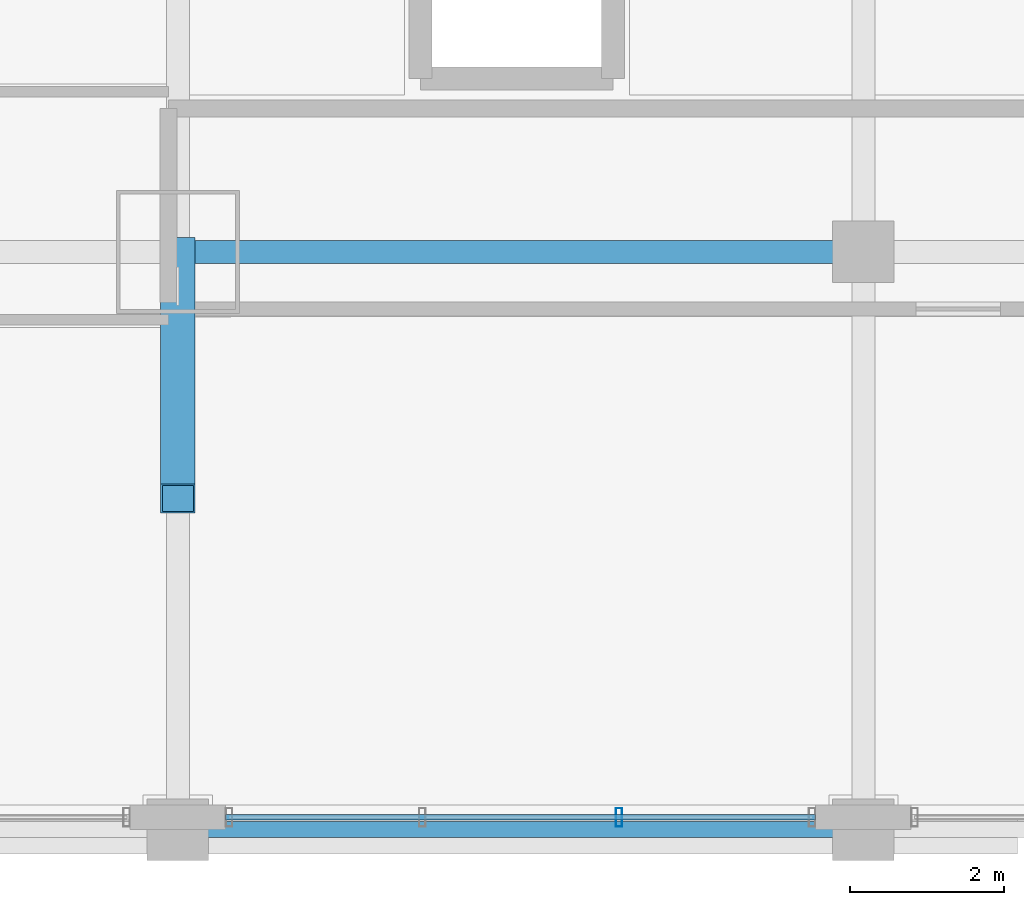
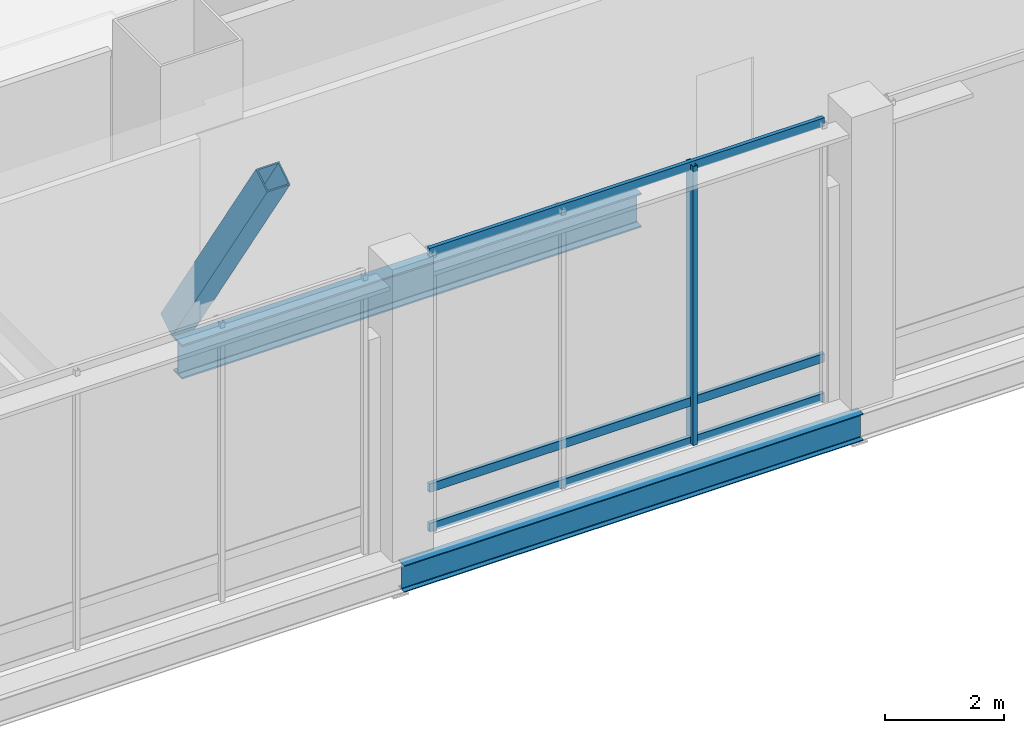
# One storey, part 8 of 38: 5 members, 2 beams, 1 element without a shape of its own.
"""IFC4 building model written with IfcOpenShell, lengths in metres."""

import ifcopenshell
import ifcopenshell.guid

model = None  # the IFC model being written
_history = None  # IfcOwnerHistory: only IFC2X3 demands one
_inside = {}  # id of a spatial element -> (the spatial element, [elements in it])
_under = {}  # id of a project, library or spatial element -> (it, [spatial elements below it])
_declared = {}  # id of a project -> (the project, [libraries it declares])
_typed = {}  # id of a type object -> (the type object, [elements of that type])
_made_of = {}  # id of a material, layer set ... -> (it, [elements and type objects made of it])


def new_model(schema):
    """Start an empty IFC model of exactly this schema.

    Asked for "IFC4X3", IfcOpenShell would pick the latest addendum, in which some entities
    have other attributes; the version numbers below select the first issue.
    IFC2X3 requires an IfcOwnerHistory on every rooted entity: one is made here for all.
    """
    global model, _history
    if schema == "IFC4X3":
        model = ifcopenshell.file(schema_version=(4, 3, 0, 0))
    else:
        model = ifcopenshell.file(schema=schema)
    _inside.clear()
    _under.clear()
    _declared.clear()
    _typed.clear()
    _made_of.clear()
    _history = None
    if model.schema == "IFC2X3":
        org = make("IfcOrganization", Name="unknown")
        user = make(
            "IfcPersonAndOrganization",
            ThePerson=make("IfcPerson", FamilyName="unknown"),
            TheOrganization=org,
        )
        app = make(
            "IfcApplication",
            ApplicationDeveloper=org,
            Version="unknown",
            ApplicationFullName="unknown",
            ApplicationIdentifier="unknown",
        )
        _history = make(
            "IfcOwnerHistory",
            OwningUser=user,
            OwningApplication=app,
            ChangeAction="ADDED",
            CreationDate=0,
        )
    return model


def make(cls, **values):
    """One entity of the class cls with the attributes given. An attribute that is None is left unset."""
    return model.create_entity(
        cls, **{name: value for name, value in values.items() if value is not None}
    )


def rooted(cls, **values):
    """An entity with a GlobalId (a new one), such as an element, a storey or a relation."""
    return make(cls, GlobalId=ifcopenshell.guid.new(), OwnerHistory=_history, **values)


def si_unit(unit_type, name, prefix=None):
    """IfcSIUnit, for example si_unit("LENGTHUNIT", "METRE", prefix="MILLI")."""
    return make("IfcSIUnit", UnitType=unit_type, Prefix=prefix, Name=name)


def assignment(units):
    """IfcUnitAssignment: the units of a project."""
    return None if units is None else make("IfcUnitAssignment", Units=units)


def point(xyz):
    """IfcCartesianPoint."""
    return None if xyz is None else make("IfcCartesianPoint", Coordinates=xyz)


def direction(xyz):
    """IfcDirection."""
    return None if xyz is None else make("IfcDirection", DirectionRatios=xyz)


def frame(location, z_axis=None, x_axis=None):
    """IfcAxis2Placement3D, a coordinate frame: its origin and axes. An axis left out is left unset."""
    return make(
        "IfcAxis2Placement3D",
        Location=point(location),
        Axis=direction(z_axis),
        RefDirection=direction(x_axis),
    )


def frame_2d(location, x_axis=None):
    """IfcAxis2Placement2D, a coordinate frame in the plane: its origin and x axis."""
    return make(
        "IfcAxis2Placement2D", Location=point(location), RefDirection=direction(x_axis)
    )


def origin():
    """The frame at (0, 0, 0) with its axes left unset."""
    return frame((0.0, 0.0, 0.0))


def origin_2d():
    """The frame at (0, 0) in the plane with its x axis left unset."""
    return frame_2d((0.0, 0.0))


def place(relative_to, where):
    """IfcLocalPlacement: puts the frame where relative to a parent placement (None: the world)."""
    return make(
        "IfcLocalPlacement", PlacementRelTo=relative_to, RelativePlacement=where
    )


def context(
    kind, dimensions, precision=None, world=None, true_north=None, identifier=None
):
    """IfcGeometricRepresentationContext, for example the 3D "Model" context."""
    return make(
        "IfcGeometricRepresentationContext",
        ContextIdentifier=identifier,
        ContextType=kind,
        CoordinateSpaceDimension=dimensions,
        Precision=precision,
        WorldCoordinateSystem=world,
        TrueNorth=true_north,
    )


def subcontext(parent, identifier, kind, view, scale=None):
    """IfcGeometricRepresentationSubContext, for example "Body" below "Model"."""
    return make(
        "IfcGeometricRepresentationSubContext",
        ContextIdentifier=identifier,
        ContextType=kind,
        ParentContext=parent,
        TargetScale=scale,
        TargetView=view,
    )


def project(units=None, contexts=None):
    """IfcProject with its units and contexts."""
    return rooted(
        "IfcProject",
        Name="project",
        RepresentationContexts=contexts,
        UnitsInContext=assignment(units),
    )


def spatial(cls, under=None, at=None, **own):
    """A site, building, storey or space (cls), placed at a placement, below another one or the project."""
    s = rooted(cls, ObjectPlacement=at, **own)
    if under is not None:
        _under.setdefault(under.id(), (under, []))[1].append(s)
    return s


def profile(cls, at=None, kind="AREA", **sizes):
    """A parametric profile (cls). Its sizes go by their IFC names, for example OverallWidth=200.0."""
    return make(cls, ProfileType=kind, Position=at, **sizes)


def hollow_rectangle(**sizes):
    """IfcRectangleHollowProfileDef."""
    return profile("IfcRectangleHollowProfileDef", **sizes)


def i_section(**sizes):
    """IfcIShapeProfileDef."""
    return profile("IfcIShapeProfileDef", **sizes)


def extrude(swept, where, along, depth):
    """IfcExtrudedAreaSolid: the profile swept, set in the frame where, extruded along a direction by depth."""
    return make(
        "IfcExtrudedAreaSolid",
        SweptArea=swept,
        Position=where,
        ExtrudedDirection=direction(along),
        Depth=depth,
    )


def shape(context_of_items, identifier, shape_type, items):
    """IfcShapeRepresentation: the items that make up one representation, for example the "Body"."""
    return make(
        "IfcShapeRepresentation",
        ContextOfItems=context_of_items,
        RepresentationIdentifier=identifier,
        RepresentationType=shape_type,
        Items=items,
    )


def material(Name=None, Category=None):
    """IfcMaterial."""
    return make("IfcMaterial", Name=Name, Category=Category)


def material_profile(
    of_material, cross_section, Name=None, Category=None, Priority=None
):
    """IfcMaterialProfile: a cross section and its material."""
    return make(
        "IfcMaterialProfile",
        Name=Name,
        Material=of_material,
        Profile=cross_section,
        Priority=Priority,
        Category=Category,
    )


def profile_set(profiles, Name=None, composite=None):
    """IfcMaterialProfileSet."""
    return make(
        "IfcMaterialProfileSet",
        Name=Name,
        MaterialProfiles=profiles,
        CompositeProfile=composite,
    )


def made_of(thing, what):
    """Note that an element or type object is made of a material, layer set ...; save() writes the relation."""
    if what is not None:
        _made_of.setdefault(what.id(), (what, []))[1].append(thing)
    return thing


def type_object(cls, material=None, **own):
    """A type object (cls), such as IfcWallType, which elements share."""
    return made_of(rooted(cls, **own), material)


def element(
    cls,
    number,
    at=None,
    inside=None,
    cuts=None,
    type_object=None,
    material=None,
    context=None,
    identifier="Body",
    shape_type=None,
    held_by="IfcProductDefinitionShape",
    body=None,
    shapes=None,
    **own,
):
    """One element of the class cls, such as IfcWall. Its Tag is "e" and its number.

    at: its placement. inside: the storey or other place that contains it. cuts: it is an
    opening in that element (IfcRelVoidsElement). A single representation is given by context,
    identifier, shape_type and body (its items); several are given by shapes. held_by: the class
    of the entity that holds the representations. save() writes the other relations.
    """
    e = rooted(cls, Tag="e%d" % number, ObjectPlacement=at, **own)
    if body is not None:
        shapes = [shape(context, identifier, shape_type, body)]
    if shapes is not None:
        e.Representation = make(held_by, Representations=shapes)
    if inside is not None:
        _inside.setdefault(inside.id(), (inside, []))[1].append(e)
    if cuts is not None:
        rooted(
            "IfcRelVoidsElement", RelatingBuildingElement=cuts, RelatedOpeningElement=e
        )
    if type_object is not None:
        _typed.setdefault(type_object.id(), (type_object, []))[1].append(e)
    return made_of(e, material)


def aggregate(whole, parts):
    """IfcRelAggregates: a whole, such as a stair, and the parts it consists of."""
    return rooted("IfcRelAggregates", RelatingObject=whole, RelatedObjects=parts)


def save(model, path):
    """Write the relations noted so far, then the file.

    IfcRelAggregates (storeys below a building ...), IfcRelContainedInSpatialStructure (elements
    in a storey), IfcRelDefinesByType, IfcRelAssociatesMaterial and IfcRelDeclares: one each for
    every whole, place, type object, material and project.
    """
    for whole, parts in _under.values():
        aggregate(whole, parts)
    for where, things in _inside.values():
        rooted(
            "IfcRelContainedInSpatialStructure",
            RelatedElements=things,
            RelatingStructure=where,
        )
    for kind, things in _typed.values():
        rooted("IfcRelDefinesByType", RelatedObjects=things, RelatingType=kind)
    for what, things in _made_of.values():
        rooted("IfcRelAssociatesMaterial", RelatedObjects=things, RelatingMaterial=what)
    for by, libraries in _declared.values():
        rooted("IfcRelDeclares", RelatingContext=by, RelatedDefinitions=libraries)
    model.write(path)


model = new_model("IFC4")

# Units and contexts
model_context = context("Model", 3, precision=1e-05, world=origin(), true_north=direction((0.0, 1.0)))
body_context = subcontext(model_context, "Body", "Model", "MODEL_VIEW")
ifc_project = project(units=[si_unit("LENGTHUNIT", "METRE"), si_unit("AREAUNIT", "SQUARE_METRE"), si_unit("VOLUMEUNIT", "CUBIC_METRE"), si_unit("PLANEANGLEUNIT", "RADIAN"), si_unit("MASSUNIT", "GRAM", prefix="KILO")], contexts=[model_context])

# Site, building, storey
site_placement = place(None, origin())
site = spatial("IfcSite", under=ifc_project, at=site_placement, CompositionType="ELEMENT")
building_placement = place(site_placement, origin())
building = spatial("IfcBuilding", under=site, at=building_placement, Name="Punatoya Terracotta Tower", CompositionType="ELEMENT")
storey_placement = place(building_placement, frame((0.0, 0.0, 22.199951171875)))
storey = spatial("IfcBuildingStorey", under=building, at=storey_placement, Name="L04", CompositionType="ELEMENT", Elevation=22.199951171875)

# Beams
ifc_material_1 = material(Name="Steel S355", Category="steel")
ifc_material_profile_1 = material_profile(ifc_material_1, i_section(OverallWidth=0.300048828125, OverallDepth=0.699951171875, WebThickness=0.01708984375, FlangeThickness=0.031982421875, FilletRadius=0.01806640625, at=origin_2d()))
ifc_profile_set_1 = profile_set([ifc_material_profile_1], Name="Steel S355")
beam_type_1 = type_object("IfcBeamType", Name="BM-PRI-700", PredefinedType="BEAM", material=ifc_profile_set_1)
beam_1_placement = place(storey_placement, frame((19.10009765625, -17.5, -0.72998046875), z_axis=(1.0, 0.0, 0.0), x_axis=(0.0, 1.0, 0.0)))
element("IfcBeam", 1, at=beam_1_placement, inside=storey, type_object=beam_type_1, Name="BM-L04-BE1", PredefinedType="BEAM", context=body_context, shape_type="SweptSolid", body=[
    extrude(i_section(OverallWidth=0.300048828125, OverallDepth=0.699951171875, WebThickness=0.01708984375, FlangeThickness=0.031982421875, FilletRadius=0.01806640625, at=origin_2d()), origin(), (0.0, 0.0, 1.0), 8.89990234375),
])
ifc_material_profile_2 = material_profile(ifc_material_1, i_section(OverallWidth=0.2099609375, OverallDepth=0.550048828125, WebThickness=0.010986328125, FlangeThickness=0.01708984375, FilletRadius=0.01806640625, at=origin_2d()))
ifc_profile_set_2 = profile_set([ifc_material_profile_2], Name="Steel S355")
beam_type_2 = type_object("IfcBeamType", Name="BM-SPN-550", PredefinedType="SPANDREL", material=ifc_profile_set_2)
beam_2_placement = place(storey_placement, frame((19.10009765625, -25.0, -0.655029296875), z_axis=(1.0, 0.0, 0.0), x_axis=(0.0, 1.0, 0.0)))
element("IfcBeam", 2, at=beam_2_placement, inside=storey, type_object=beam_type_2, Name="BM-L04-AE1", PredefinedType="SPANDREL", context=body_context, shape_type="SweptSolid", body=[
    extrude(i_section(OverallWidth=0.2099609375, OverallDepth=0.550048828125, WebThickness=0.010986328125, FlangeThickness=0.01708984375, FilletRadius=0.01806640625, at=origin_2d()), origin(), (0.0, 0.0, 1.0), 8.89990234375),
])

# Curtain wall, members
ifc_material_2 = material(Name="Aluminium 6063-T6 + Double Low-E Glass", Category="aluminium")
curtain_wall_type = type_object("IfcCurtainWallType", Name="CW-POD", PredefinedType="NOTDEFINED", material=ifc_material_2)
curtain_wall_placement = place(storey_placement, origin())
curtain_wall = element("IfcCurtainWall", 3, at=curtain_wall_placement, inside=storey, type_object=curtain_wall_type, Name="L04 Curtain Wall CWP-L04-S6", PredefinedType="NOTDEFINED")
ifc_material_3 = material(Name="Aluminium 6063-T6", Category="aluminium")
ifc_material_profile_3 = material_profile(ifc_material_3, hollow_rectangle(XDim=0.0849609375, YDim=0.239990234375, WallThickness=0.0048828125, at=origin_2d()))
ifc_profile_set_3 = profile_set([ifc_material_profile_3], Name="Aluminium 6063-T6")
member_type_1 = type_object("IfcMemberType", Name="CW-MUL-POD", PredefinedType="MULLION", material=ifc_profile_set_3)
member_1_placement = place(storey_placement, frame((24.82666015625, -24.840087890625, 0.0), z_axis=(0.0, 0.0, 1.0), x_axis=(1.0, 0.0, 0.0)))
member_1 = element("IfcMember", 4, at=member_1_placement, type_object=member_type_1, Name="CWP-L04-S6 Mullion 02", PredefinedType="MULLION", context=body_context, shape_type="SweptSolid", body=[
    extrude(hollow_rectangle(XDim=0.0849609375, YDim=0.239990234375, WallThickness=0.0048828125, at=origin_2d()), origin(), (0.0, 0.0, 1.0), 5.719970703125),
])
ifc_material_profile_4 = material_profile(ifc_material_3, hollow_rectangle(XDim=0.074951171875, YDim=0.175048828125, WallThickness=0.00439453125, at=origin_2d()))
ifc_profile_set_4 = profile_set([ifc_material_profile_4], Name="Aluminium 6063-T6")
member_type_2 = type_object("IfcMemberType", Name="CW-TRN-POD", PredefinedType="USERDEFINED", material=ifc_profile_set_4)
member_2_placement = place(storey_placement, frame((19.719970703125, -24.840087890625, 0.0400390625), z_axis=(1.0, 0.0, 0.0), x_axis=(0.0, 1.0, 0.0)))
member_2 = element("IfcMember", 5, at=member_2_placement, type_object=member_type_2, Name="CWP-L04-S6 Transom 1", ObjectType="TRANSOM", PredefinedType="USERDEFINED", context=body_context, shape_type="SweptSolid", body=[
    extrude(hollow_rectangle(XDim=0.074951171875, YDim=0.175048828125, WallThickness=0.00439453125, at=origin_2d()), origin(), (0.0, 0.0, 1.0), 7.659912109375),
])
member_3_placement = place(storey_placement, frame((19.719970703125, -24.840087890625, 0.85009765625), z_axis=(1.0, 0.0, 0.0), x_axis=(0.0, 1.0, 0.0)))
member_3 = element("IfcMember", 6, at=member_3_placement, type_object=member_type_2, Name="CWP-L04-S6 Transom 2", ObjectType="TRANSOM", PredefinedType="USERDEFINED", context=body_context, shape_type="SweptSolid", body=[
    extrude(hollow_rectangle(XDim=0.074951171875, YDim=0.175048828125, WallThickness=0.00439453125, at=origin_2d()), origin(), (0.0, 0.0, 1.0), 7.659912109375),
])
member_4_placement = place(storey_placement, frame((19.719970703125, -24.840087890625, 5.679931640625), z_axis=(1.0, 0.0, 0.0), x_axis=(0.0, 1.0, 0.0)))
member_4 = element("IfcMember", 7, at=member_4_placement, type_object=member_type_2, Name="CWP-L04-S6 Transom 3", ObjectType="TRANSOM", PredefinedType="USERDEFINED", context=body_context, shape_type="SweptSolid", body=[
    extrude(hollow_rectangle(XDim=0.074951171875, YDim=0.175048828125, WallThickness=0.00439453125, at=origin_2d()), origin(), (0.0, 0.0, 1.0), 7.659912109375),
])
aggregate(curtain_wall, [member_1, member_2, member_3, member_4])

# Member
ifc_material_4 = material(Name="Steel S460", Category="steel")
ifc_material_profile_5 = material_profile(ifc_material_4, hollow_rectangle(XDim=0.449951171875, YDim=0.449951171875, WallThickness=0.02490234375, at=origin_2d()))
ifc_profile_set_5 = profile_set([ifc_material_profile_5], Name="Steel S460")
member_type_3 = type_object("IfcMemberType", Name="MEM-STR-450", PredefinedType="STRUT", material=ifc_profile_set_5)
member_5_placement = place(storey_placement, frame((19.10009765625, -17.5, 0.02001953125), z_axis=(0.0, -0.54677159325, 0.837281807288), x_axis=(1.0, 0.0, 0.0)))
element("IfcMember", 8, at=member_5_placement, inside=storey, type_object=member_type_3, Name="L05 Cantilever Raking Knee-Strut S2", PredefinedType="STRUT", context=body_context, shape_type="SweptSolid", body=[
    extrude(hollow_rectangle(XDim=0.449951171875, YDim=0.449951171875, WallThickness=0.02490234375, at=origin_2d()), origin(), (0.0, 0.0, 1.0), 5.8525390625),
])

save(model, "model.ifc")
